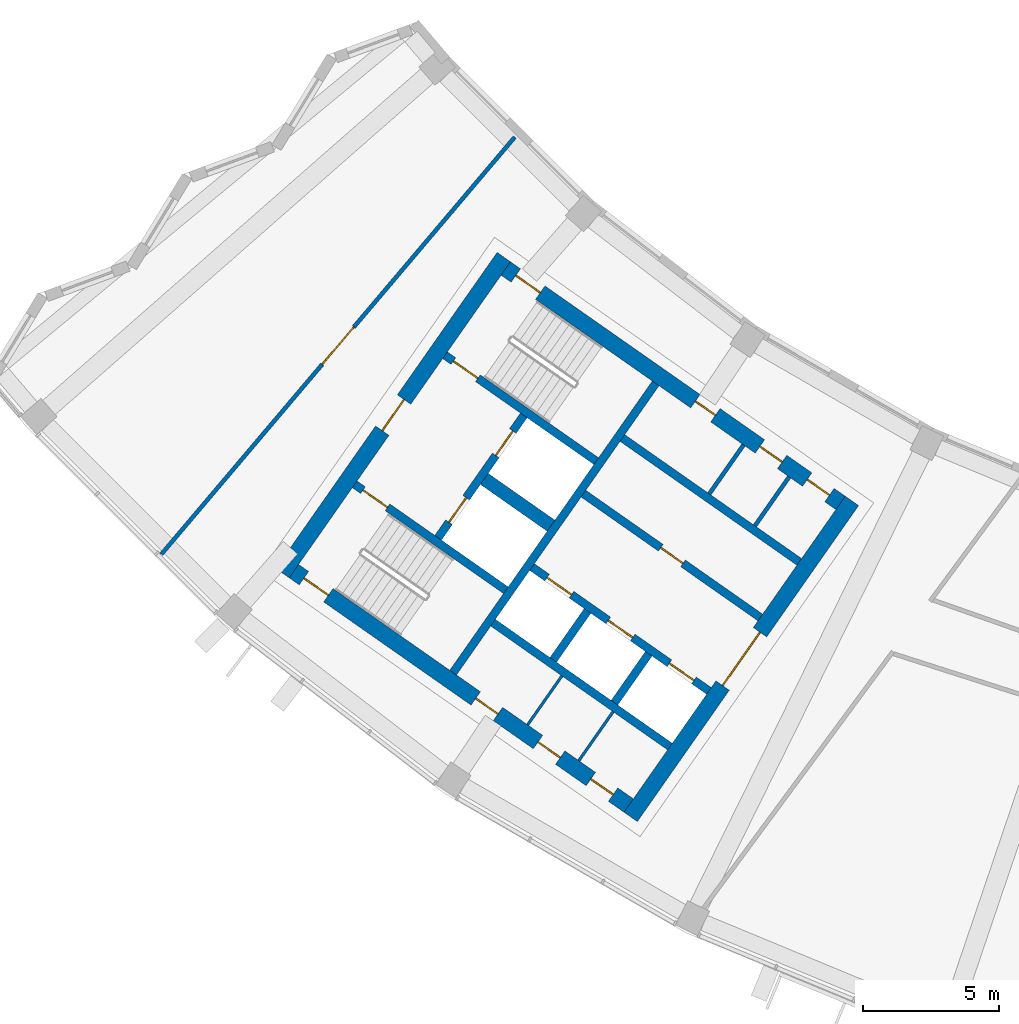
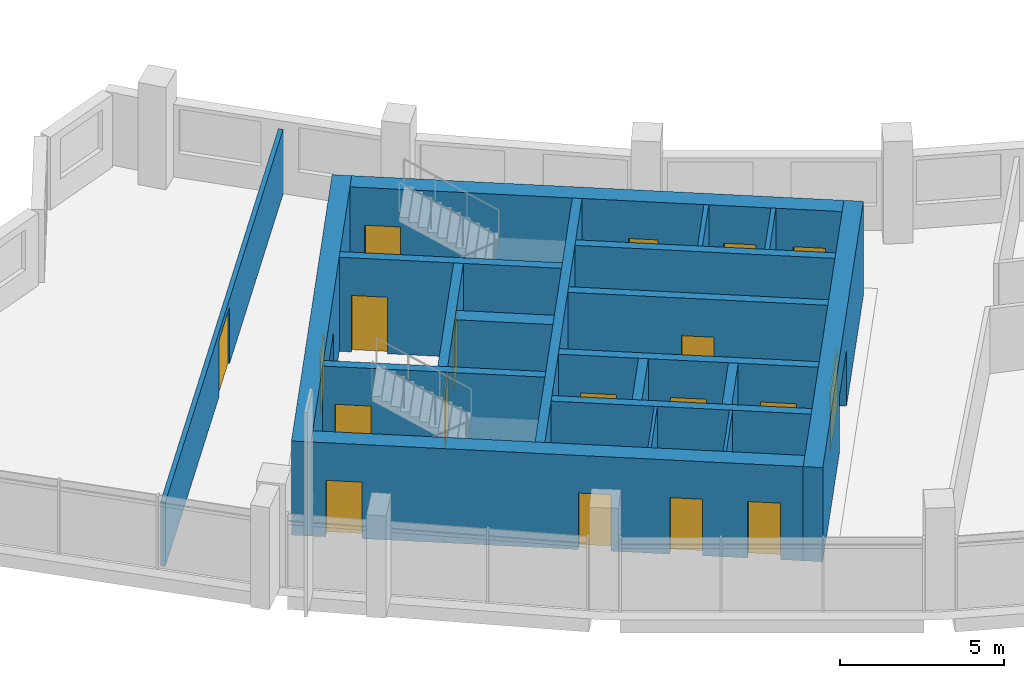
# One storey, part 3 of 28: 20 walls, 19 doors, 19 openings.
"""IFC4 building model written with IfcOpenShell, lengths in metres."""

from ifc_helpers import new_model, si_unit, direction, frame, frame_2d, origin, place, context, subcontext, project, spatial, rectangle, extrude, material, layer, layer_set, type_object, element, fill, save


model = new_model("IFC4")

# Units and contexts
model_context = context("Model", 3, precision=1e-05, world=origin(), true_north=direction((0.0, 1.0)))
body_context = subcontext(model_context, "Body", "Model", "MODEL_VIEW")
ifc_project = project(units=[si_unit("LENGTHUNIT", "METRE"), si_unit("AREAUNIT", "SQUARE_METRE"), si_unit("VOLUMEUNIT", "CUBIC_METRE"), si_unit("PLANEANGLEUNIT", "RADIAN"), si_unit("MASSUNIT", "GRAM", prefix="KILO")], contexts=[model_context])

# Site, building, storey
site_placement = place(None, origin())
site = spatial("IfcSite", under=ifc_project, at=site_placement, CompositionType="ELEMENT")
building_placement = place(site_placement, origin())
building = spatial("IfcBuilding", under=site, at=building_placement, Name="Qamariyya Broadcast Tower", CompositionType="ELEMENT")
storey_placement = place(building_placement, frame((0.0, 0.0, 273.300048828125)))
storey = spatial("IfcBuildingStorey", under=building, at=storey_placement, Name="L66", CompositionType="ELEMENT", Elevation=273.300048828125)

# Wall, opening, door
ifc_material_1 = material(Name="Concrete C60/75", Category="concrete")
ifc_layer_1 = layer(ifc_material_1, 0.60009765625)
ifc_layer_set_1 = layer_set([ifc_layer_1], Name="Core wall 600 mm Concrete C60/75")
wall_type_1 = type_object("IfcWallType", Name="Core wall 600 mm Concrete C60/75", PredefinedType="SHEAR", material=ifc_layer_set_1)
wall_1_placement = place(storey_placement, frame((-36.66748046875, -66.005126953125, 0.0), z_axis=(0.0, 0.0, 1.0), x_axis=(0.573568499524, 0.819157601658, 0.0)))
wall_1 = element("IfcWall", 1, at=wall_1_placement, inside=storey, type_object=wall_type_1, Name="k-W-L66-WA", PredefinedType="SHEAR", context=body_context, shape_type="SweptSolid", body=[
    extrude(rectangle(XDim=14.19970703125, YDim=0.60009765625, at=frame_2d((7.099853515625, 0.0))), origin(), (0.0, 0.0, 1.0), 3.5),
])
opening_1_placement = place(wall_1_placement, frame((5.89990234375, 0.0, 0.0)))
opening_1 = element("IfcOpeningElement", 2, at=opening_1_placement, cuts=wall_1, Name="Opening KD3-W1", PredefinedType="OPENING", context=body_context, shape_type="SweptSolid", body=[
    extrude(rectangle(XDim=2.39990234375, YDim=2.10009765625, at=frame_2d((1.199951171875, 1.050048828125))), frame((0.0, 0.31005859375, 0.0), z_axis=(0.0, -1.0, 0.0), x_axis=(1.0, 0.0, 0.0)), (0.0, 0.0, 1.0), 0.6201171875),
])
ifc_material_2 = material(Name="Steel fire-resisting door leaf", Category="steel")
door_type_1 = type_object("IfcDoorType", Name="Lift lobby door KD3", OperationType="DOUBLE_DOOR_SINGLE_SWING", PredefinedType="DOOR", material=ifc_material_2)
door_1_placement = place(opening_1_placement, origin())
door_1 = element("IfcDoor", 3, at=door_1_placement, inside=storey, type_object=door_type_1, Name="k-W-L66-WA-D1", OperationType="DOUBLE_DOOR_SINGLE_SWING", OverallHeight=2.10009765625, OverallWidth=2.39990234375, PredefinedType="DOOR", context=body_context, shape_type="SweptSolid", body=[
    extrude(rectangle(XDim=2.39990234375, YDim=2.10009765625, at=frame_2d((1.199951171875, 1.050048828125))), frame((0.0, 0.02490234375, 0.0), z_axis=(0.0, -1.0, 0.0), x_axis=(1.0, 0.0, 0.0)), (0.0, 0.0, 1.0), 0.050048828125),
])
fill(opening_1, door_1)

wall_2_placement = place(storey_placement, frame((-49.4833984375, -57.031494140625, 0.0), z_axis=(0.0, 0.0, 1.0), x_axis=(0.573560421458, 0.819163257805, 0.0)))
wall_2 = element("IfcWall", 4, at=wall_2_placement, inside=storey, type_object=wall_type_1, Name="k-W-L66-WH", PredefinedType="SHEAR", context=body_context, shape_type="SweptSolid", body=[
    extrude(rectangle(XDim=14.199951171875, YDim=0.60009765625, at=frame_2d((7.10009765625, 0.0))), origin(), (0.0, 0.0, 1.0), 3.5),
])
opening_2_placement = place(wall_2_placement, frame((6.39990234375, 0.0, 0.0)))
opening_2 = element("IfcOpeningElement", 5, at=opening_2_placement, cuts=wall_2, Name="Opening KD2-W1", PredefinedType="OPENING", context=body_context, shape_type="SweptSolid", body=[
    extrude(rectangle(XDim=1.39990234375, YDim=2.10009765625, at=frame_2d((0.699951171875, 1.050048828125))), frame((0.0, 0.31005859375, 0.0), z_axis=(0.0, -1.0, 0.0), x_axis=(1.0, 0.0, 0.0)), (0.0, 0.0, 1.0), 0.6201171875),
])
door_type_2 = type_object("IfcDoorType", Name="Fire-fighting lobby door KD2", OperationType="DOUBLE_DOOR_SINGLE_SWING", PredefinedType="DOOR", material=ifc_material_2)
door_2_placement = place(opening_2_placement, origin())
door_2 = element("IfcDoor", 6, at=door_2_placement, inside=storey, type_object=door_type_2, Name="k-W-L66-WH-D14", OperationType="DOUBLE_DOOR_SINGLE_SWING", OverallHeight=2.10009765625, OverallWidth=1.39990234375, PredefinedType="DOOR", context=body_context, shape_type="SweptSolid", body=[
    extrude(rectangle(XDim=1.39990234375, YDim=2.10009765625, at=frame_2d((0.699951171875, 1.050048828125))), frame((0.0, 0.02490234375, 0.0), z_axis=(0.0, -1.0, 0.0), x_axis=(1.0, 0.0, 0.0)), (0.0, 0.0, 1.0), 0.050048828125),
])
fill(opening_2, door_2)

# Wall, openings, doors
wall_3_placement = place(storey_placement, frame((-28.940673828125, -54.447021484375, 0.0), z_axis=(0.0, 0.0, 1.0), x_axis=(-0.819153391756, 0.573574511963, 0.0)))
wall_3 = element("IfcWall", 7, at=wall_3_placement, inside=storey, type_object=wall_type_1, Name="k-W-L66-WI", PredefinedType="SHEAR", context=body_context, shape_type="SweptSolid", body=[
    extrude(rectangle(XDim=15.04541015625, YDim=0.60009765625, at=frame_2d((7.522705078125, 0.0))), origin(), (0.0, 0.0, 1.0), 3.5),
])
opening_3_placement = place(wall_3_placement, frame((0.5, 0.0, 0.0)))
opening_3 = element("IfcOpeningElement", 8, at=opening_3_placement, cuts=wall_3, Name="Opening KD6-W2", PredefinedType="OPENING", context=body_context, shape_type="SweptSolid", body=[
    extrude(rectangle(XDim=1.0, YDim=2.10009765625, at=frame_2d((0.5, 1.050048828125))), frame((0.0, 0.31005859375, 0.0), z_axis=(0.0, -1.0, 0.0), x_axis=(1.0, 0.0, 0.0)), (0.0, 0.0, 1.0), 0.6201171875),
])
opening_4_placement = place(wall_3_placement, frame((2.625, 0.0, 0.0)))
opening_4 = element("IfcOpeningElement", 9, at=opening_4_placement, cuts=wall_3, Name="Opening KD7-W1", PredefinedType="OPENING", context=body_context, shape_type="SweptSolid", body=[
    extrude(rectangle(XDim=1.0, YDim=2.10009765625, at=frame_2d((0.5, 1.050048828125))), frame((0.0, 0.31005859375, 0.0), z_axis=(0.0, -1.0, 0.0), x_axis=(1.0, 0.0, 0.0)), (0.0, 0.0, 1.0), 0.6201171875),
])
opening_5_placement = place(wall_3_placement, frame((5.625, 0.0, 0.0)))
opening_5 = element("IfcOpeningElement", 10, at=opening_5_placement, cuts=wall_3, Name="Opening KD5-W1", PredefinedType="OPENING", context=body_context, shape_type="SweptSolid", body=[
    extrude(rectangle(XDim=0.89990234375, YDim=2.10009765625, at=frame_2d((0.449951171875, 1.050048828125))), frame((0.0, 0.31005859375, 0.0), z_axis=(0.0, -1.0, 0.0), x_axis=(1.0, 0.0, 0.0)), (0.0, 0.0, 1.0), 0.6201171875),
])
opening_6_placement = place(wall_3_placement, frame((13.495361328125, 0.0, 0.0)))
opening_6 = element("IfcOpeningElement", 11, at=opening_6_placement, cuts=wall_3, Name="Opening KD1-W1", PredefinedType="OPENING", context=body_context, shape_type="SweptSolid", body=[
    extrude(rectangle(XDim=1.10009765625, YDim=2.10009765625, at=frame_2d((0.550048828125, 1.050048828125))), frame((0.0, 0.31005859375, 0.0), z_axis=(0.0, -1.0, 0.0), x_axis=(1.0, 0.0, 0.0)), (0.0, 0.0, 1.0), 0.6201171875),
])
door_type_3 = type_object("IfcDoorType", Name="Accessible toilet door KD7", OperationType="SINGLE_SWING_LEFT", PredefinedType="DOOR", material=ifc_material_2)
door_3_placement = place(opening_4_placement, origin())
door_3 = element("IfcDoor", 12, at=door_3_placement, inside=storey, type_object=door_type_3, Name="k-W-L66-WI-D7", OperationType="SINGLE_SWING_RIGHT", OverallHeight=2.10009765625, OverallWidth=1.0, PredefinedType="DOOR", context=body_context, shape_type="SweptSolid", body=[
    extrude(rectangle(XDim=1.0, YDim=2.10009765625, at=frame_2d((0.5, 1.050048828125))), frame((0.0, 0.02490234375, 0.0), z_axis=(0.0, -1.0, 0.0), x_axis=(1.0, 0.0, 0.0)), (0.0, 0.0, 1.0), 0.050048828125),
])
fill(opening_4, door_3)
door_type_4 = type_object("IfcDoorType", Name="Core room door KD6", OperationType="SINGLE_SWING_LEFT", PredefinedType="DOOR", material=ifc_material_2)
door_4_placement = place(opening_3_placement, origin())
door_4 = element("IfcDoor", 13, at=door_4_placement, inside=storey, type_object=door_type_4, Name="k-W-L66-WI-D6", OperationType="SINGLE_SWING_LEFT", OverallHeight=2.10009765625, OverallWidth=1.0, PredefinedType="DOOR", context=body_context, shape_type="SweptSolid", body=[
    extrude(rectangle(XDim=1.0, YDim=2.10009765625, at=frame_2d((0.5, 1.050048828125))), frame((0.0, 0.02490234375, 0.0), z_axis=(0.0, -1.0, 0.0), x_axis=(1.0, 0.0, 0.0)), (0.0, 0.0, 1.0), 0.050048828125),
])
fill(opening_3, door_4)
door_type_5 = type_object("IfcDoorType", Name="Stair door KD1", OperationType="SINGLE_SWING_LEFT", PredefinedType="DOOR", material=ifc_material_2)
door_5_placement = place(opening_6_placement, origin())
door_5 = element("IfcDoor", 14, at=door_5_placement, inside=storey, type_object=door_type_5, Name="k-W-L66-WI-D15", OperationType="SINGLE_SWING_RIGHT", OverallHeight=2.10009765625, OverallWidth=1.10009765625, PredefinedType="DOOR", context=body_context, shape_type="SweptSolid", body=[
    extrude(rectangle(XDim=1.10009765625, YDim=2.10009765625, at=frame_2d((0.550048828125, 1.050048828125))), frame((0.0, 0.02490234375, 0.0), z_axis=(0.0, -1.0, 0.0), x_axis=(1.0, 0.0, 0.0)), (0.0, 0.0, 1.0), 0.050048828125),
])
fill(opening_6, door_5)
door_type_6 = type_object("IfcDoorType", Name="Toilet door KD5", OperationType="SINGLE_SWING_LEFT", PredefinedType="DOOR", material=ifc_material_2)
door_6_placement = place(opening_5_placement, origin())
door_6 = element("IfcDoor", 15, at=door_6_placement, inside=storey, type_object=door_type_6, Name="k-W-L66-WI-D8", OperationType="SINGLE_SWING_LEFT", OverallHeight=2.10009765625, OverallWidth=0.89990234375, PredefinedType="DOOR", context=body_context, shape_type="SweptSolid", body=[
    extrude(rectangle(XDim=0.89990234375, YDim=2.10009765625, at=frame_2d((0.449951171875, 1.050048828125))), frame((0.0, 0.02490234375, 0.0), z_axis=(0.0, -1.0, 0.0), x_axis=(1.0, 0.0, 0.0)), (0.0, 0.0, 1.0), 0.050048828125),
])
fill(opening_5, door_6)

wall_4_placement = place(storey_placement, frame((-36.7412109375, -65.58740234375, 0.0), z_axis=(0.0, 0.0, 1.0), x_axis=(-0.819153391756, 0.573574511963, 0.0)))
wall_4 = element("IfcWall", 16, at=wall_4_placement, inside=storey, type_object=wall_type_1, Name="k-W-L66-WO", PredefinedType="SHEAR", context=body_context, shape_type="SweptSolid", body=[
    extrude(rectangle(XDim=15.04541015625, YDim=0.60009765625, at=frame_2d((7.522705078125, 0.0))), origin(), (0.0, 0.0, 1.0), 3.5),
])
opening_7_placement = place(wall_4_placement, frame((0.699951171875, 0.0, 0.0)))
opening_7 = element("IfcOpeningElement", 17, at=opening_7_placement, cuts=wall_4, Name="Opening KD6-W3", PredefinedType="OPENING", context=body_context, shape_type="SweptSolid", body=[
    extrude(rectangle(XDim=1.0, YDim=2.10009765625, at=frame_2d((0.5, 1.050048828125))), frame((0.0, 0.31005859375, 0.0), z_axis=(0.0, -1.0, 0.0), x_axis=(1.0, 0.0, 0.0)), (0.0, 0.0, 1.0), 0.6201171875),
])
opening_8_placement = place(wall_4_placement, frame((3.074951171875, 0.0, 0.0)))
opening_8 = element("IfcOpeningElement", 18, at=opening_8_placement, cuts=wall_4, Name="Opening KD4-W1", PredefinedType="OPENING", context=body_context, shape_type="SweptSolid", body=[
    extrude(rectangle(XDim=1.0, YDim=2.10009765625, at=frame_2d((0.5, 1.050048828125))), frame((0.0, 0.31005859375, 0.0), z_axis=(0.0, -1.0, 0.0), x_axis=(1.0, 0.0, 0.0)), (0.0, 0.0, 1.0), 0.6201171875),
])
opening_9_placement = place(wall_4_placement, frame((5.875, 0.0, 0.0)))
opening_9 = element("IfcOpeningElement", 19, at=opening_9_placement, cuts=wall_4, Name="Opening KD4-W2", PredefinedType="OPENING", context=body_context, shape_type="SweptSolid", body=[
    extrude(rectangle(XDim=1.0, YDim=2.10009765625, at=frame_2d((0.5, 1.050048828125))), frame((0.0, 0.31005859375, 0.0), z_axis=(0.0, -1.0, 0.0), x_axis=(1.0, 0.0, 0.0)), (0.0, 0.0, 1.0), 0.6201171875),
])
opening_10_placement = place(wall_4_placement, frame((13.495361328125, 0.0, 0.0)))
opening_10 = element("IfcOpeningElement", 20, at=opening_10_placement, cuts=wall_4, Name="Opening KD1-W3", PredefinedType="OPENING", context=body_context, shape_type="SweptSolid", body=[
    extrude(rectangle(XDim=1.10009765625, YDim=2.10009765625, at=frame_2d((0.550048828125, 1.050048828125))), frame((0.0, 0.31005859375, 0.0), z_axis=(0.0, -1.0, 0.0), x_axis=(1.0, 0.0, 0.0)), (0.0, 0.0, 1.0), 0.6201171875),
])
door_7_placement = place(opening_7_placement, origin())
door_7 = element("IfcDoor", 21, at=door_7_placement, inside=storey, type_object=door_type_4, Name="k-W-L66-WO-D9", OperationType="SINGLE_SWING_RIGHT", OverallHeight=2.10009765625, OverallWidth=1.0, PredefinedType="DOOR", context=body_context, shape_type="SweptSolid", body=[
    extrude(rectangle(XDim=1.0, YDim=2.10009765625, at=frame_2d((0.5, 1.050048828125))), frame((0.0, 0.02490234375, 0.0), z_axis=(0.0, -1.0, 0.0), x_axis=(1.0, 0.0, 0.0)), (0.0, 0.0, 1.0), 0.050048828125),
])
fill(opening_7, door_7)
door_type_7 = type_object("IfcDoorType", Name="Riser and plant door KD4", OperationType="SINGLE_SWING_LEFT", PredefinedType="DOOR", material=ifc_material_2)
door_8_placement = place(opening_8_placement, origin())
door_8 = element("IfcDoor", 22, at=door_8_placement, inside=storey, type_object=door_type_7, Name="k-W-L66-WO-D10", OperationType="SINGLE_SWING_LEFT", OverallHeight=2.10009765625, OverallWidth=1.0, PredefinedType="DOOR", context=body_context, shape_type="SweptSolid", body=[
    extrude(rectangle(XDim=1.0, YDim=2.10009765625, at=frame_2d((0.5, 1.050048828125))), frame((0.0, 0.02490234375, 0.0), z_axis=(0.0, -1.0, 0.0), x_axis=(1.0, 0.0, 0.0)), (0.0, 0.0, 1.0), 0.050048828125),
])
fill(opening_8, door_8)
door_9_placement = place(opening_9_placement, origin())
door_9 = element("IfcDoor", 23, at=door_9_placement, inside=storey, type_object=door_type_7, Name="k-W-L66-WO-D11", OperationType="SINGLE_SWING_RIGHT", OverallHeight=2.10009765625, OverallWidth=1.0, PredefinedType="DOOR", context=body_context, shape_type="SweptSolid", body=[
    extrude(rectangle(XDim=1.0, YDim=2.10009765625, at=frame_2d((0.5, 1.050048828125))), frame((0.0, 0.02490234375, 0.0), z_axis=(0.0, -1.0, 0.0), x_axis=(1.0, 0.0, 0.0)), (0.0, 0.0, 1.0), 0.050048828125),
])
fill(opening_9, door_9)
door_10_placement = place(opening_10_placement, origin())
door_10 = element("IfcDoor", 24, at=door_10_placement, inside=storey, type_object=door_type_5, Name="k-W-L66-WO-D17", OperationType="SINGLE_SWING_LEFT", OverallHeight=2.10009765625, OverallWidth=1.10009765625, PredefinedType="DOOR", context=body_context, shape_type="SweptSolid", body=[
    extrude(rectangle(XDim=1.10009765625, YDim=2.10009765625, at=frame_2d((0.550048828125, 1.050048828125))), frame((0.0, 0.02490234375, 0.0), z_axis=(0.0, -1.0, 0.0), x_axis=(1.0, 0.0, 0.0)), (0.0, 0.0, 1.0), 0.050048828125),
])
fill(opening_10, door_10)

# Wall, opening, door
ifc_material_3 = material(Name="Gypsum board partition")
ifc_layer_2 = layer(ifc_material_3, 0.14990234375)
ifc_layer_set_2 = layer_set([ifc_layer_2], Name="Corridor partition 150 EI 60")
wall_type_2 = type_object("IfcWallType", Name="Corridor partition 150 EI 60", PredefinedType="PARTITIONING", material=ifc_layer_set_2)
wall_5_placement = place(storey_placement, frame((-53.946044921875, -56.33837890625, 0.0), z_axis=(0.0, 0.0, 1.0), x_axis=(0.646426079671, 0.76297662056, 0.0)))
wall_5 = element("IfcWall", 25, at=wall_5_placement, inside=storey, type_object=wall_type_2, Name="Partition L66-001", PredefinedType="PARTITIONING", context=body_context, shape_type="SweptSolid", body=[
    extrude(rectangle(XDim=20.1259765625, YDim=0.14990234375, at=frame_2d((10.06298828125, 0.0))), origin(), (0.0, 0.0, 1.0), 2.39990234375),
])
opening_11_placement = place(wall_5_placement, frame((9.1630859375, 0.0, 0.0)))
opening_11 = element("IfcOpeningElement", 26, at=opening_11_placement, cuts=wall_5, Name="Opening L66-D13", PredefinedType="OPENING", context=body_context, shape_type="SweptSolid", body=[
    extrude(rectangle(XDim=1.800048828125, YDim=2.10009765625, at=frame_2d((0.89990234375, 1.050048828125))), frame((0.0, 0.0849609375, 0.0), z_axis=(0.0, -1.0, 0.0), x_axis=(1.0, 0.0, 0.0)), (0.0, 0.0, 1.0), 0.169921875),
])
ifc_material_4 = material(Name="Timber fire door leaf", Category="wood")
door_type_8 = type_object("IfcDoorType", Name="Double fire door 1800 x 2100 FD60", OperationType="NOTDEFINED", PredefinedType="DOOR", material=ifc_material_4)
door_11_placement = place(opening_11_placement, origin())
door_11 = element("IfcDoor", 27, at=door_11_placement, inside=storey, type_object=door_type_8, Name="Door L66-D13", OperationType="DOUBLE_DOOR_SINGLE_SWING", OverallHeight=2.10009765625, OverallWidth=1.800048828125, PredefinedType="DOOR", context=body_context, shape_type="SweptSolid", body=[
    extrude(rectangle(XDim=1.800048828125, YDim=2.10009765625, at=frame_2d((0.89990234375, 1.050048828125))), frame((0.0, 0.02490234375, 0.0), z_axis=(0.0, -1.0, 0.0), x_axis=(1.0, 0.0, 0.0)), (0.0, 0.0, 1.0), 0.050048828125),
])
fill(opening_11, door_11)

# Walls
ifc_layer_3 = layer(ifc_material_1, 0.5)
ifc_layer_set_3 = layer_set([ifc_layer_3], Name="Fire-fighting lobby divider wall 500 mm Concrete C60/75")
wall_type_3 = type_object("IfcWallType", Name="Fire-fighting lobby divider wall 500 mm Concrete C60/75", PredefinedType="SOLIDWALL", material=ifc_layer_set_3)
wall_6_placement = place(storey_placement, frame((-39.59912109375, -55.28515625, 0.0), z_axis=(0.0, 0.0, 1.0), x_axis=(-0.819136323161, 0.573598887793, 0.0)))
element("IfcWall", 28, at=wall_6_placement, inside=storey, type_object=wall_type_3, Name="k-W-L66-FD", PredefinedType="SOLIDWALL", context=body_context, shape_type="SweptSolid", body=[
    extrude(rectangle(XDim=2.999755859375, YDim=0.5, at=frame_2d((1.5, 0.0))), origin(), (0.0, 0.0, 1.0), 3.5),
])
ifc_material_5 = material(Name="Gypsum board partition on steel studs", Category="steel")
ifc_layer_4 = layer(ifc_material_5, 0.14990234375)
ifc_layer_set_4 = layer_set([ifc_layer_4], Name="Gypsum board partition 150 mm")
wall_type_4 = type_object("IfcWallType", Name="Gypsum board partition 150 mm", PredefinedType="PARTITIONING", material=ifc_layer_set_4)
wall_7_placement = place(storey_placement, frame((-32.0947265625, -55.290283203125, 0.0), z_axis=(0.0, 0.0, 1.0), x_axis=(0.573559170999, 0.819164133348, 0.0)))
element("IfcWall", 29, at=wall_7_placement, inside=storey, type_object=wall_type_4, Name="k-W-L66-NP210", PredefinedType="PARTITIONING", context=body_context, shape_type="SweptSolid", body=[
    extrude(rectangle(XDim=2.19970703125, YDim=0.14990234375, at=frame_2d((1.099853515625, 0.0))), origin(), (0.0, 0.0, 1.0), 3.5),
])
wall_8_placement = place(storey_placement, frame((-33.774169921875, -54.114501953125, 0.0), z_axis=(0.0, 0.0, 1.0), x_axis=(0.573581496053, 0.819148501424, 0.0)))
element("IfcWall", 30, at=wall_8_placement, inside=storey, type_object=wall_type_4, Name="k-W-L66-NP415", PredefinedType="PARTITIONING", context=body_context, shape_type="SweptSolid", body=[
    extrude(rectangle(XDim=2.2001953125, YDim=0.14990234375, at=frame_2d((1.10009765625, 0.0))), origin(), (0.0, 0.0, 1.0), 3.5),
])
ifc_layer_5 = layer(ifc_material_1, 0.300048828125)
ifc_layer_set_5 = layer_set([ifc_layer_5], Name="Lift shaft wall 300 mm Concrete C60/75")
wall_type_5 = type_object("IfcWallType", Name="Lift shaft wall 300 mm Concrete C60/75", PredefinedType="SOLIDWALL", material=ifc_layer_set_5)
wall_9_placement = place(storey_placement, frame((-43.204345703125, -60.69580078125, 0.0), z_axis=(0.0, 0.0, 1.0), x_axis=(0.573571992966, 0.819155155563, 0.0)))
element("IfcWall", 31, at=wall_9_placement, inside=storey, type_object=wall_type_5, Name="k-W-L66-WL", PredefinedType="SOLIDWALL", context=body_context, shape_type="SweptSolid", body=[
    extrude(rectangle(XDim=13.000244140625, YDim=0.300048828125, at=frame_2d((6.5, 0.0))), origin(), (0.0, 0.0, 1.0), 3.5),
])

# Wall, opening, door
wall_10_placement = place(storey_placement, frame((-31.89453125, -58.66552734375, 0.0), z_axis=(0.0, 0.0, 1.0), x_axis=(-0.819166993208, 0.573555086491, 0.0)))
wall_10 = element("IfcWall", 32, at=wall_10_placement, inside=storey, type_object=wall_type_5, Name="k-W-L66-NF0", PredefinedType="SOLIDWALL", context=body_context, shape_type="SweptSolid", body=[
    extrude(rectangle(XDim=7.9501953125, YDim=0.300048828125, at=frame_2d((3.97509765625, 0.0))), origin(), (0.0, 0.0, 1.0), 3.5),
])
opening_12_placement = place(wall_10_placement, frame((3.47509765625, 0.0, 0.0)))
opening_12 = element("IfcOpeningElement", 33, at=opening_12_placement, cuts=wall_10, Name="Opening KD6-W1", PredefinedType="OPENING", context=body_context, shape_type="SweptSolid", body=[
    extrude(rectangle(XDim=1.0, YDim=2.10009765625, at=frame_2d((0.5, 1.050048828125))), frame((0.0, 0.159912109375, 0.0), z_axis=(0.0, -1.0, 0.0), x_axis=(1.0, 0.0, 0.0)), (0.0, 0.0, 1.0), 0.320068359375),
])
door_12_placement = place(opening_12_placement, origin())
door_12 = element("IfcDoor", 34, at=door_12_placement, inside=storey, type_object=door_type_4, Name="k-W-L66-NF0-D2", OperationType="SINGLE_SWING_LEFT", OverallHeight=2.10009765625, OverallWidth=1.0, PredefinedType="DOOR", context=body_context, shape_type="SweptSolid", body=[
    extrude(rectangle(XDim=1.0, YDim=2.10009765625, at=frame_2d((0.5, 1.050048828125))), frame((0.0, 0.02490234375, 0.0), z_axis=(0.0, -1.0, 0.0), x_axis=(1.0, 0.0, 0.0)), (0.0, 0.0, 1.0), 0.050048828125),
])
fill(opening_12, door_12)

# Wall
wall_11_placement = place(storey_placement, frame((-30.460693359375, -56.61767578125, 0.0), z_axis=(0.0, 0.0, 1.0), x_axis=(-0.819142461705, 0.573590121456, 0.0)))
element("IfcWall", 35, at=wall_11_placement, inside=storey, type_object=wall_type_5, Name="k-W-L66-NB0", PredefinedType="SOLIDWALL", context=body_context, shape_type="SweptSolid", body=[
    extrude(rectangle(XDim=7.949951171875, YDim=0.300048828125, at=frame_2d((3.97509765625, 0.0))), origin(), (0.0, 0.0, 1.0), 3.5),
])

# Wall, openings, doors
wall_12_placement = place(storey_placement, frame((-33.787353515625, -61.368896484375, 0.0), z_axis=(0.0, 0.0, 1.0), x_axis=(-0.819152564888, 0.573575692858, 0.0)))
wall_12 = element("IfcWall", 36, at=wall_12_placement, inside=storey, type_object=wall_type_5, Name="k-W-L66-SF0", PredefinedType="SOLIDWALL", context=body_context, shape_type="SweptSolid", body=[
    extrude(rectangle(XDim=7.9501953125, YDim=0.300048828125, at=frame_2d((3.97509765625, 0.0))), origin(), (0.0, 0.0, 1.0), 3.5),
])
opening_13_placement = place(wall_12_placement, frame((0.675048828125, 0.0, 0.0)))
opening_13 = element("IfcOpeningElement", 37, at=opening_13_placement, cuts=wall_12, Name="Opening LD", PredefinedType="OPENING", context=body_context, shape_type="SweptSolid", body=[
    extrude(rectangle(XDim=1.10009765625, YDim=2.10009765625, at=frame_2d((0.550048828125, 1.050048828125))), frame((0.0, 0.159912109375, 0.0), z_axis=(0.0, -1.0, 0.0), x_axis=(1.0, 0.0, 0.0)), (0.0, 0.0, 1.0), 0.320068359375),
])
opening_14_placement = place(wall_12_placement, frame((3.425048828125, 0.0, 0.0)))
opening_14 = element("IfcOpeningElement", 38, at=opening_14_placement, cuts=wall_12, Name="Opening LD", PredefinedType="OPENING", context=body_context, shape_type="SweptSolid", body=[
    extrude(rectangle(XDim=1.10009765625, YDim=2.10009765625, at=frame_2d((0.550048828125, 1.050048828125))), frame((0.0, 0.159912109375, 0.0), z_axis=(0.0, -1.0, 0.0), x_axis=(1.0, 0.0, 0.0)), (0.0, 0.0, 1.0), 0.320068359375),
])
opening_15_placement = place(wall_12_placement, frame((6.175048828125, 0.0, 0.0)))
opening_15 = element("IfcOpeningElement", 39, at=opening_15_placement, cuts=wall_12, Name="Opening LD", PredefinedType="OPENING", context=body_context, shape_type="SweptSolid", body=[
    extrude(rectangle(XDim=1.10009765625, YDim=2.10009765625, at=frame_2d((0.550048828125, 1.050048828125))), frame((0.0, 0.159912109375, 0.0), z_axis=(0.0, -1.0, 0.0), x_axis=(1.0, 0.0, 0.0)), (0.0, 0.0, 1.0), 0.320068359375),
])
door_type_9 = type_object("IfcDoorType", Name="Lift landing door LD", OperationType="DOUBLE_DOOR_SLIDING", PredefinedType="DOOR", material=ifc_material_2)
door_13_placement = place(opening_13_placement, origin())
door_13 = element("IfcDoor", 40, at=door_13_placement, inside=storey, type_object=door_type_9, Name="k-W-L66-SF0-D3", OperationType="DOUBLE_DOOR_SLIDING", OverallHeight=2.10009765625, OverallWidth=1.10009765625, PredefinedType="DOOR", context=body_context, shape_type="SweptSolid", body=[
    extrude(rectangle(XDim=1.10009765625, YDim=2.10009765625, at=frame_2d((0.550048828125, 1.050048828125))), frame((0.0, 0.02490234375, 0.0), z_axis=(0.0, -1.0, 0.0), x_axis=(1.0, 0.0, 0.0)), (0.0, 0.0, 1.0), 0.050048828125),
])
fill(opening_13, door_13)
door_14_placement = place(opening_14_placement, origin())
door_14 = element("IfcDoor", 41, at=door_14_placement, inside=storey, type_object=door_type_9, Name="k-W-L66-SF0-D4", OperationType="DOUBLE_DOOR_SLIDING", OverallHeight=2.10009765625, OverallWidth=1.10009765625, PredefinedType="DOOR", context=body_context, shape_type="SweptSolid", body=[
    extrude(rectangle(XDim=1.10009765625, YDim=2.10009765625, at=frame_2d((0.550048828125, 1.050048828125))), frame((0.0, 0.02490234375, 0.0), z_axis=(0.0, -1.0, 0.0), x_axis=(1.0, 0.0, 0.0)), (0.0, 0.0, 1.0), 0.050048828125),
])
fill(opening_14, door_14)
door_15_placement = place(opening_15_placement, origin())
door_15 = element("IfcDoor", 42, at=door_15_placement, inside=storey, type_object=door_type_9, Name="k-W-L66-SF0-D5", OperationType="DOUBLE_DOOR_SLIDING", OverallHeight=2.10009765625, OverallWidth=1.10009765625, PredefinedType="DOOR", context=body_context, shape_type="SweptSolid", body=[
    extrude(rectangle(XDim=1.10009765625, YDim=2.10009765625, at=frame_2d((0.550048828125, 1.050048828125))), frame((0.0, 0.02490234375, 0.0), z_axis=(0.0, -1.0, 0.0), x_axis=(1.0, 0.0, 0.0)), (0.0, 0.0, 1.0), 0.050048828125),
])
fill(opening_15, door_15)

# Walls
wall_13_placement = place(storey_placement, frame((-35.22119140625, -63.41650390625, 0.0), z_axis=(0.0, 0.0, 1.0), x_axis=(-0.819166993208, 0.573555086491, 0.0)))
element("IfcWall", 43, at=wall_13_placement, inside=storey, type_object=wall_type_5, Name="k-W-L66-SB0", PredefinedType="SOLIDWALL", context=body_context, shape_type="SweptSolid", body=[
    extrude(rectangle(XDim=7.9501953125, YDim=0.300048828125, at=frame_2d((3.97509765625, 0.0))), origin(), (0.0, 0.0, 1.0), 3.5),
])
wall_14_placement = place(storey_placement, frame((-36.003173828125, -60.000244140625, 0.0), z_axis=(0.0, 0.0, 1.0), x_axis=(-0.573581496053, -0.819148501424, 0.0)))
element("IfcWall", 44, at=wall_14_placement, inside=storey, type_object=wall_type_5, Name="k-W-L66-SD0", PredefinedType="SOLIDWALL", context=body_context, shape_type="SweptSolid", body=[
    extrude(rectangle(XDim=2.2001953125, YDim=0.300048828125, at=frame_2d((1.10009765625, 0.0))), origin(), (0.0, 0.0, 1.0), 3.5),
])
wall_15_placement = place(storey_placement, frame((-38.255859375, -58.423095703125, 0.0), z_axis=(0.0, 0.0, 1.0), x_axis=(-0.573633636671, -0.819111989218, 0.0)))
element("IfcWall", 45, at=wall_15_placement, inside=storey, type_object=wall_type_5, Name="k-W-L66-SD1", PredefinedType="SOLIDWALL", context=body_context, shape_type="SweptSolid", body=[
    extrude(rectangle(XDim=2.199951171875, YDim=0.300048828125, at=frame_2d((1.10009765625, 0.0))), origin(), (0.0, 0.0, 1.0), 3.5),
])

# Wall, opening, door
wall_16_placement = place(storey_placement, frame((-37.935546875, -52.90966796875, 0.0), z_axis=(0.0, 0.0, 1.0), x_axis=(-0.819147518138, 0.57358290031, 0.0)))
wall_16 = element("IfcWall", 46, at=wall_16_placement, inside=storey, type_object=wall_type_5, Name="k-W-L66-NW", PredefinedType="SOLIDWALL", context=body_context, shape_type="SweptSolid", body=[
    extrude(rectangle(XDim=6.79541015625, YDim=0.300048828125, at=frame_2d((3.397705078125, 0.0))), origin(), (0.0, 0.0, 1.0), 3.5),
])
opening_16_placement = place(wall_16_placement, frame((5.3203125, 0.0, 0.0)))
opening_16 = element("IfcOpeningElement", 47, at=opening_16_placement, cuts=wall_16, Name="Opening KD1-W2", PredefinedType="OPENING", context=body_context, shape_type="SweptSolid", body=[
    extrude(rectangle(XDim=1.10009765625, YDim=2.10009765625, at=frame_2d((0.550048828125, 1.050048828125))), frame((0.0, 0.159912109375, 0.0), z_axis=(0.0, -1.0, 0.0), x_axis=(1.0, 0.0, 0.0)), (0.0, 0.0, 1.0), 0.320068359375),
])
door_16_placement = place(opening_16_placement, origin())
door_16 = element("IfcDoor", 48, at=door_16_placement, inside=storey, type_object=door_type_5, Name="k-W-L66-NW-D16", OperationType="SINGLE_SWING_LEFT", OverallHeight=2.10009765625, OverallWidth=1.10009765625, PredefinedType="DOOR", context=body_context, shape_type="SweptSolid", body=[
    extrude(rectangle(XDim=1.10009765625, YDim=2.10009765625, at=frame_2d((0.550048828125, 1.050048828125))), frame((0.0, 0.02490234375, 0.0), z_axis=(0.0, -1.0, 0.0), x_axis=(1.0, 0.0, 0.0)), (0.0, 0.0, 1.0), 0.050048828125),
])
fill(opening_16, door_16)

wall_17_placement = place(storey_placement, frame((-41.262451171875, -57.66064453125, 0.0), z_axis=(0.0, 0.0, 1.0), x_axis=(-0.819164398642, 0.573558792102, 0.0)))
wall_17 = element("IfcWall", 49, at=wall_17_placement, inside=storey, type_object=wall_type_5, Name="k-W-L66-SW", PredefinedType="SOLIDWALL", context=body_context, shape_type="SweptSolid", body=[
    extrude(rectangle(XDim=6.795166015625, YDim=0.300048828125, at=frame_2d((3.3974609375, 0.0))), origin(), (0.0, 0.0, 1.0), 3.5),
])
opening_17_placement = place(wall_17_placement, frame((5.3203125, 0.0, 0.0)))
opening_17 = element("IfcOpeningElement", 50, at=opening_17_placement, cuts=wall_17, Name="Opening KD1-W4", PredefinedType="OPENING", context=body_context, shape_type="SweptSolid", body=[
    extrude(rectangle(XDim=1.10009765625, YDim=2.10009765625, at=frame_2d((0.550048828125, 1.050048828125))), frame((0.0, 0.159912109375, 0.0), z_axis=(0.0, -1.0, 0.0), x_axis=(1.0, 0.0, 0.0)), (0.0, 0.0, 1.0), 0.320068359375),
])
door_17_placement = place(opening_17_placement, origin())
door_17 = element("IfcDoor", 51, at=door_17_placement, inside=storey, type_object=door_type_5, Name="k-W-L66-SW-D18", OperationType="SINGLE_SWING_LEFT", OverallHeight=2.10009765625, OverallWidth=1.10009765625, PredefinedType="DOOR", context=body_context, shape_type="SweptSolid", body=[
    extrude(rectangle(XDim=1.10009765625, YDim=2.10009765625, at=frame_2d((0.550048828125, 1.050048828125))), frame((0.0, 0.02490234375, 0.0), z_axis=(0.0, -1.0, 0.0), x_axis=(1.0, 0.0, 0.0)), (0.0, 0.0, 1.0), 0.050048828125),
])
fill(opening_17, door_17)

# Wall, openings, doors
wall_18_placement = place(storey_placement, frame((-43.756591796875, -55.731201171875, 0.0), z_axis=(0.0, 0.0, 1.0), x_axis=(0.573536818435, 0.819179783625, 0.0)))
wall_18 = element("IfcWall", 52, at=wall_18_placement, inside=storey, type_object=wall_type_5, Name="k-W-L66-FF", PredefinedType="SOLIDWALL", context=body_context, shape_type="SweptSolid", body=[
    extrude(rectangle(XDim=5.500244140625, YDim=0.300048828125, at=frame_2d((2.75, 0.0))), origin(), (0.0, 0.0, 1.0), 3.5),
])
opening_18_placement = place(wall_18_placement, frame((0.699951171875, 0.0, 0.0)))
opening_18 = element("IfcOpeningElement", 53, at=opening_18_placement, cuts=wall_18, Name="Opening LD", PredefinedType="OPENING", context=body_context, shape_type="SweptSolid", body=[
    extrude(rectangle(XDim=1.10009765625, YDim=2.10009765625, at=frame_2d((0.550048828125, 1.050048828125))), frame((0.0, 0.159912109375, 0.0), z_axis=(0.0, -1.0, 0.0), x_axis=(1.0, 0.0, 0.0)), (0.0, 0.0, 1.0), 0.320068359375),
])
opening_19_placement = place(wall_18_placement, frame((3.699951171875, 0.0, 0.0)))
opening_19 = element("IfcOpeningElement", 54, at=opening_19_placement, cuts=wall_18, Name="Opening LD", PredefinedType="OPENING", context=body_context, shape_type="SweptSolid", body=[
    extrude(rectangle(XDim=1.10009765625, YDim=2.10009765625, at=frame_2d((0.550048828125, 1.050048828125))), frame((0.0, 0.159912109375, 0.0), z_axis=(0.0, -1.0, 0.0), x_axis=(1.0, 0.0, 0.0)), (0.0, 0.0, 1.0), 0.320068359375),
])
door_18_placement = place(opening_18_placement, origin())
door_18 = element("IfcDoor", 55, at=door_18_placement, inside=storey, type_object=door_type_9, Name="k-W-L66-FF-D12", OperationType="DOUBLE_DOOR_SLIDING", OverallHeight=2.10009765625, OverallWidth=1.10009765625, PredefinedType="DOOR", context=body_context, shape_type="SweptSolid", body=[
    extrude(rectangle(XDim=1.10009765625, YDim=2.10009765625, at=frame_2d((0.550048828125, 1.050048828125))), frame((0.0, 0.02490234375, 0.0), z_axis=(0.0, -1.0, 0.0), x_axis=(1.0, 0.0, 0.0)), (0.0, 0.0, 1.0), 0.050048828125),
])
fill(opening_18, door_18)
door_19_placement = place(opening_19_placement, origin())
door_19 = element("IfcDoor", 56, at=door_19_placement, inside=storey, type_object=door_type_9, Name="k-W-L66-FF-D13", OperationType="DOUBLE_DOOR_SLIDING", OverallHeight=2.10009765625, OverallWidth=1.10009765625, PredefinedType="DOOR", context=body_context, shape_type="SweptSolid", body=[
    extrude(rectangle(XDim=1.10009765625, YDim=2.10009765625, at=frame_2d((0.550048828125, 1.050048828125))), frame((0.0, 0.02490234375, 0.0), z_axis=(0.0, -1.0, 0.0), x_axis=(1.0, 0.0, 0.0)), (0.0, 0.0, 1.0), 0.050048828125),
])
fill(opening_19, door_19)

# Walls
ifc_material_6 = material(Name="Fire-rated gypsum shaft liner on steel studs", Category="steel")
ifc_layer_6 = layer(ifc_material_6, 0.10009765625)
ifc_layer_set_6 = layer_set([ifc_layer_6], Name="Riser wall 100 mm")
wall_type_6 = type_object("IfcWallType", Name="Riser wall 100 mm", PredefinedType="PLUMBINGWALL", material=ifc_layer_set_6)
wall_19_placement = place(storey_placement, frame((-37.314208984375, -62.13427734375, 0.0), z_axis=(0.0, 0.0, 1.0), x_axis=(-0.573633636671, -0.819111989218, 0.0)))
element("IfcWall", 57, at=wall_19_placement, inside=storey, type_object=wall_type_6, Name="k-W-L66-SP245", PredefinedType="PLUMBINGWALL", context=body_context, shape_type="SweptSolid", body=[
    extrude(rectangle(XDim=2.199951171875, YDim=0.10009765625, at=frame_2d((1.10009765625, 0.0))), origin(), (0.0, 0.0, 1.0), 3.5),
])
wall_20_placement = place(storey_placement, frame((-39.1982421875, -60.81494140625, 0.0), z_axis=(0.0, 0.0, 1.0), x_axis=(-0.573581496053, -0.819148501424, 0.0)))
element("IfcWall", 58, at=wall_20_placement, inside=storey, type_object=wall_type_6, Name="k-W-L66-SP475", PredefinedType="PLUMBINGWALL", context=body_context, shape_type="SweptSolid", body=[
    extrude(rectangle(XDim=2.2001953125, YDim=0.10009765625, at=frame_2d((1.10009765625, 0.0))), origin(), (0.0, 0.0, 1.0), 3.5),
])

save(model, "model.ifc")
